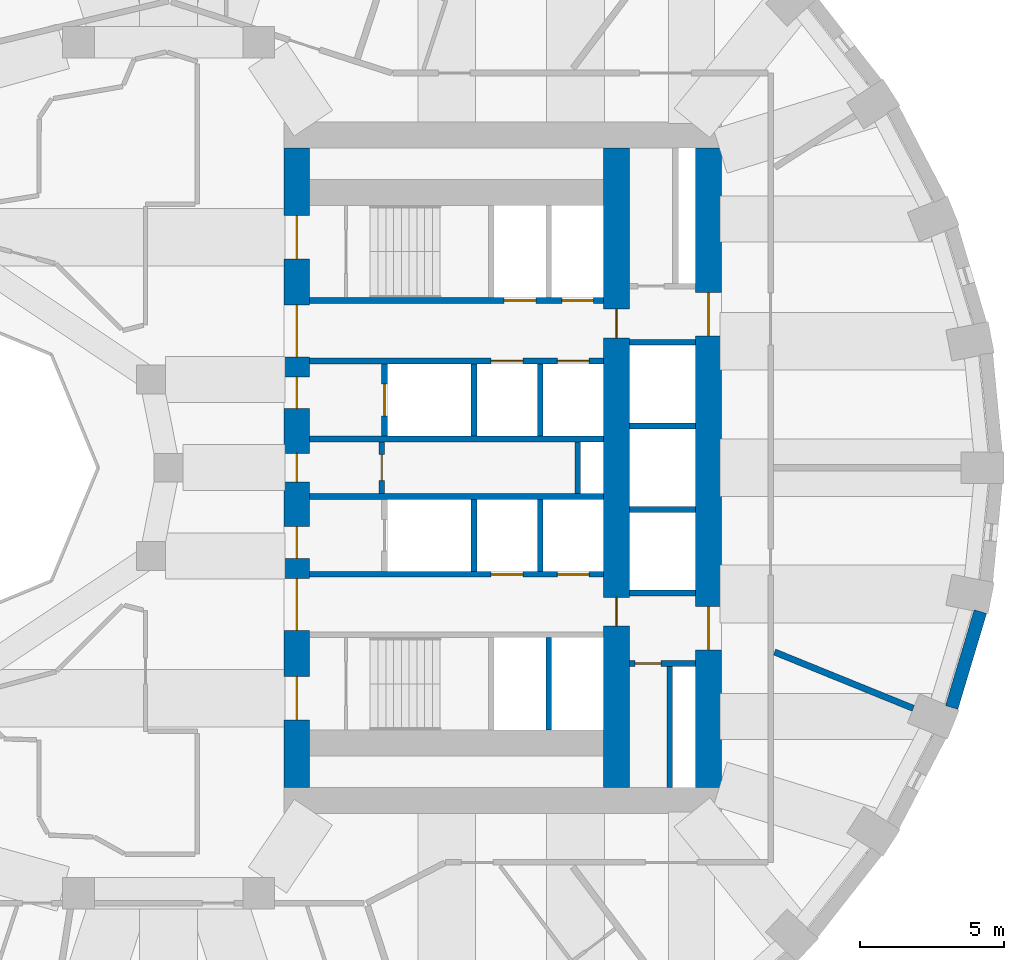
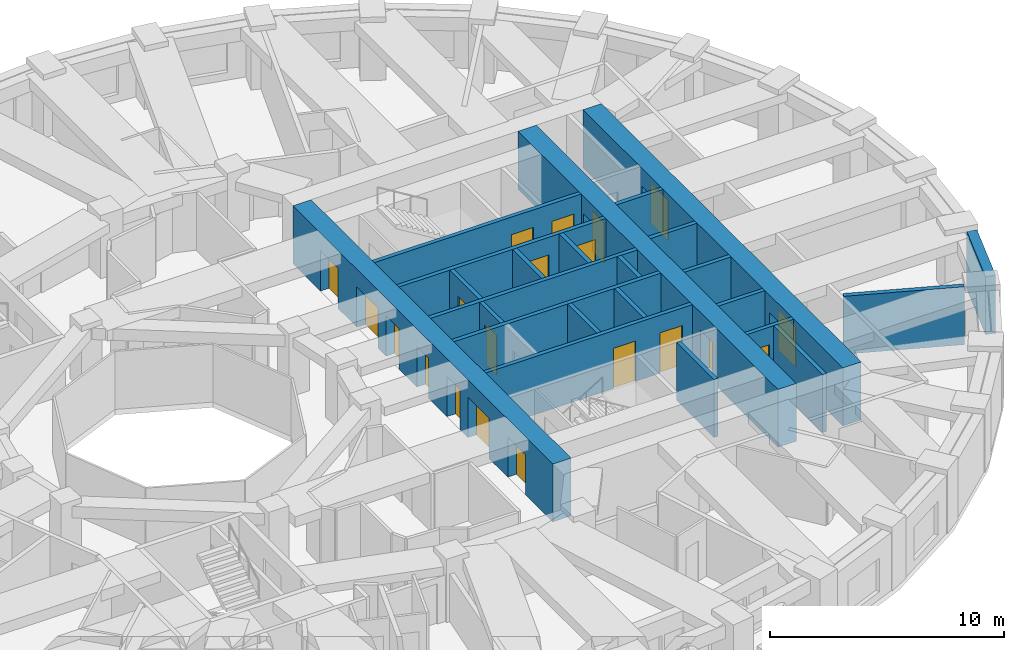
# One storey, part 6 of 13: 24 walls, 20 doors, 20 openings.
"""IFC4 building model written with IfcOpenShell, lengths in metres."""

from ifc_helpers import new_model, si_unit, direction, frame, frame_2d, origin, place, context, subcontext, project, spatial, rectangle, extrude, material, layer, layer_set, type_object, element, fill, save


model = new_model("IFC4")

# Units and contexts
model_context = context("Model", 3, precision=1e-05, world=origin(), true_north=direction((0.0, 1.0)))
body_context = subcontext(model_context, "Body", "Model", "MODEL_VIEW")
ifc_project = project(units=[si_unit("LENGTHUNIT", "METRE"), si_unit("AREAUNIT", "SQUARE_METRE"), si_unit("VOLUMEUNIT", "CUBIC_METRE"), si_unit("PLANEANGLEUNIT", "RADIAN"), si_unit("MASSUNIT", "GRAM", prefix="KILO")], contexts=[model_context])

# Site, building, storey
site_placement = place(None, origin())
site = spatial("IfcSite", under=ifc_project, at=site_placement, CompositionType="ELEMENT")
building_placement = place(site_placement, origin())
building = spatial("IfcBuilding", under=site, at=building_placement, Name="Taillehof Tower", CompositionType="ELEMENT")
storey_placement = place(building_placement, frame((0.0, 0.0, 74.5)))
storey = spatial("IfcBuildingStorey", under=building, at=storey_placement, Name="L20", CompositionType="ELEMENT", Elevation=74.5)

# Wall
ifc_material_1 = material(Name="Brick masonry", Category="masonry")
ifc_layer_1 = layer(ifc_material_1, 0.449951171875)
ifc_layer_set_1 = layer_set([ifc_layer_1], Name="Brick infill wall 450")
wall_type_1 = type_object("IfcWallType", Name="Brick infill wall 450", PredefinedType="SOLIDWALL", material=ifc_layer_set_1)
wall_1_placement = place(storey_placement, frame((27.184814453125, -8.322998046875, 0.0), z_axis=(0.0, 0.0, 1.0), x_axis=(0.287064133733, 0.957911364963, 0.0)))
element("IfcWall", 1, at=wall_1_placement, inside=storey, type_object=wall_type_1, Name="Brick wall L20 bay 35", PredefinedType="SOLIDWALL", context=body_context, shape_type="SweptSolid", body=[
    extrude(rectangle(XDim=3.473388671875, YDim=0.449951171875, at=frame_2d((1.73681640625, 0.0))), origin(), (0.0, 0.0, 1.0), 3.02001953125),
])

# Wall, opening, door
ifc_material_2 = material(Name="Calcium silicate masonry", Category="masonry")
ifc_layer_2 = layer(ifc_material_2, 0.199951171875)
ifc_layer_set_2 = layer_set([ifc_layer_2], Name="Compartment wall calcium silicate 200")
wall_type_2 = type_object("IfcWallType", Name="Compartment wall calcium silicate 200", PredefinedType="PARTITIONING", material=ifc_layer_set_2)
wall_2_placement = place(storey_placement, frame((7.39990234375, -0.89990234375, 0.0), z_axis=(0.0, 0.0, 1.0), x_axis=(0.0, 1.0, 0.0)))
wall_2 = element("IfcWall", 2, at=wall_2_placement, inside=storey, type_object=wall_type_2, Name="Compartment wall FW", PredefinedType="PARTITIONING", context=body_context, shape_type="SweptSolid", body=[
    extrude(rectangle(XDim=1.7998046875, YDim=0.199951171875, at=frame_2d((0.89990234375, 0.0))), origin(), (0.0, 0.0, 1.0), 3.02001953125),
])
opening_1_placement = place(wall_2_placement, frame((0.449951171875, 0.0, 0.0)))
opening_1 = element("IfcOpeningElement", 3, at=opening_1_placement, cuts=wall_2, Name="Opening D2014", PredefinedType="OPENING", context=body_context, shape_type="SweptSolid", body=[
    extrude(rectangle(XDim=0.89990234375, YDim=2.10009765625, at=frame_2d((0.449951171875, 1.050048828125))), frame((0.0, 0.10986328125, 0.0), z_axis=(0.0, -1.0, 0.0), x_axis=(1.0, 0.0, 0.0)), (0.0, 0.0, 1.0), 0.219970703125),
])
ifc_material_3 = material(Name="Steel-faced fire door", Category="steel")
door_type_1 = type_object("IfcDoorType", Name="Riser and service room door 900x2100", OperationType="SINGLE_SWING_LEFT", PredefinedType="DOOR", material=ifc_material_3)
door_1_placement = place(opening_1_placement, origin())
door_1 = element("IfcDoor", 4, at=door_1_placement, inside=storey, type_object=door_type_1, Name="Door Comms Room", OperationType="SINGLE_SWING_RIGHT", OverallHeight=2.10009765625, OverallWidth=0.89990234375, PredefinedType="DOOR", context=body_context, shape_type="SweptSolid", body=[
    extrude(rectangle(XDim=0.89990234375, YDim=2.10009765625, at=frame_2d((0.449951171875, 1.050048828125))), frame((0.0, 0.02490234375, 0.0), z_axis=(0.0, -1.0, 0.0), x_axis=(1.0, 0.0, 0.0)), (0.0, 0.0, 1.0), 0.050048828125),
])
fill(opening_1, door_1)

# Wall
wall_3_placement = place(storey_placement, frame((14.199951171875, -0.89990234375, 0.0), z_axis=(0.0, 0.0, 1.0), x_axis=(0.0, 1.0, 0.0)))
element("IfcWall", 5, at=wall_3_placement, inside=storey, type_object=wall_type_2, Name="Compartment wall FW", PredefinedType="PARTITIONING", context=body_context, shape_type="SweptSolid", body=[
    extrude(rectangle(XDim=1.7998046875, YDim=0.199951171875, at=frame_2d((0.89990234375, 0.0))), origin(), (0.0, 0.0, 1.0), 3.02001953125),
])

# Wall, opening, door
wall_4_placement = place(storey_placement, frame((16.0, -6.800048828125, 0.0), z_axis=(0.0, 0.0, 1.0), x_axis=(1.0, 0.0, 0.0)))
wall_4 = element("IfcWall", 6, at=wall_4_placement, inside=storey, type_object=wall_type_2, Name="Compartment wall FW", PredefinedType="PARTITIONING", context=body_context, shape_type="SweptSolid", body=[
    extrude(rectangle(XDim=2.300048828125, YDim=0.199951171875, at=frame_2d((1.14990234375, 0.0))), origin(), (0.0, 0.0, 1.0), 3.02001953125),
])
opening_2_placement = place(wall_4_placement, frame((0.199951171875, 0.0, 0.0)))
opening_2 = element("IfcOpeningElement", 7, at=opening_2_placement, cuts=wall_4, Name="Opening D2018", PredefinedType="OPENING", context=body_context, shape_type="SweptSolid", body=[
    extrude(rectangle(XDim=0.89990234375, YDim=2.10009765625, at=frame_2d((0.449951171875, 1.050048828125))), frame((0.0, 0.10986328125, 0.0), z_axis=(0.0, -1.0, 0.0), x_axis=(1.0, 0.0, 0.0)), (0.0, 0.0, 1.0), 0.219970703125),
])
door_2_placement = place(opening_2_placement, origin())
door_2 = element("IfcDoor", 8, at=door_2_placement, inside=storey, type_object=door_type_1, Name="Door Ice Room", OperationType="SINGLE_SWING_LEFT", OverallHeight=2.10009765625, OverallWidth=0.89990234375, PredefinedType="DOOR", context=body_context, shape_type="SweptSolid", body=[
    extrude(rectangle(XDim=0.89990234375, YDim=2.10009765625, at=frame_2d((0.449951171875, 1.050048828125))), frame((0.0, 0.02490234375, 0.0), z_axis=(0.0, -1.0, 0.0), x_axis=(1.0, 0.0, 0.0)), (0.0, 0.0, 1.0), 0.050048828125),
])
fill(opening_2, door_2)

# Walls
wall_5_placement = place(storey_placement, frame((17.39990234375, -11.10009765625, 0.0), z_axis=(0.0, 0.0, 1.0), x_axis=(0.0, 1.0, 0.0)))
element("IfcWall", 9, at=wall_5_placement, inside=storey, type_object=wall_type_2, Name="Compartment wall FW", PredefinedType="PARTITIONING", context=body_context, shape_type="SweptSolid", body=[
    extrude(rectangle(XDim=4.2001953125, YDim=0.199951171875, at=frame_2d((2.10009765625, 0.0))), origin(), (0.0, 0.0, 1.0), 3.02001953125),
])
ifc_material_4 = material(Name="Gypsum board on double steel studs with mineral wool", Category="steel")
ifc_layer_3 = layer(ifc_material_4, 0.219970703125)
ifc_layer_set_3 = layer_set([ifc_layer_3], Name="Compartment wall guest room 220")
wall_type_3 = type_object("IfcWallType", Name="Compartment wall guest room 220", PredefinedType="PARTITIONING", material=ifc_layer_set_3)
wall_6_placement = place(storey_placement, frame((25.851318359375, -8.35400390625, 0.0), z_axis=(0.0, 0.0, 1.0), x_axis=(-0.926545919269, 0.376181684145, 0.0)))
element("IfcWall", 10, at=wall_6_placement, inside=storey, type_object=wall_type_3, Name="Compartment wall", PredefinedType="PARTITIONING", context=body_context, shape_type="SweptSolid", body=[
    extrude(rectangle(XDim=5.19580078125, YDim=0.219970703125, at=frame_2d((2.597900390625, 0.0))), origin(), (0.0, 0.0, 1.0), 3.02001953125),
])

# Wall, openings, doors
ifc_material_5 = material(Name="Concrete C80/95", Category="concrete")
ifc_layer_4 = layer(ifc_material_5, 0.89990234375)
ifc_layer_set_4 = layer_set([ifc_layer_4], Name="Core wall C80/95 900")
wall_type_4 = type_object("IfcWallType", Name="Core wall C80/95 900", PredefinedType="SHEAR", material=ifc_layer_set_4)
wall_7_placement = place(storey_placement, frame((4.449951171875, -11.10009765625, 0.0), z_axis=(0.0, 0.0, 1.0), x_axis=(0.0, 1.0, 0.0)))
wall_7 = element("IfcWall", 11, at=wall_7_placement, inside=storey, type_object=wall_type_4, Name="Core wall CW01", PredefinedType="SHEAR", context=body_context, shape_type="SweptSolid", body=[
    extrude(rectangle(XDim=22.2001953125, YDim=0.89990234375, at=frame_2d((11.10009765625, 0.0))), origin(), (0.0, 0.0, 1.0), 3.02001953125),
])
opening_3_placement = place(wall_7_placement, frame((2.35009765625, 0.0, 0.0)))
opening_3 = element("IfcOpeningElement", 12, at=opening_3_placement, cuts=wall_7, Name="Opening D2001", PredefinedType="OPENING", context=body_context, shape_type="SweptSolid", body=[
    extrude(rectangle(XDim=1.5, YDim=2.10009765625, at=frame_2d((0.75, 1.050048828125))), frame((0.0, 0.4599609375, 0.0), z_axis=(0.0, -1.0, 0.0), x_axis=(1.0, 0.0, 0.0)), (0.0, 0.0, 1.0), 0.919921875),
])
opening_4_placement = place(wall_7_placement, frame((5.449951171875, 0.0, 0.0)))
opening_4 = element("IfcOpeningElement", 13, at=opening_4_placement, cuts=wall_7, Name="Opening D2002", PredefinedType="OPENING", context=body_context, shape_type="SweptSolid", body=[
    extrude(rectangle(XDim=1.800048828125, YDim=2.10009765625, at=frame_2d((0.89990234375, 1.050048828125))), frame((0.0, 0.4599609375, 0.0), z_axis=(0.0, -1.0, 0.0), x_axis=(1.0, 0.0, 0.0)), (0.0, 0.0, 1.0), 0.919921875),
])
opening_5_placement = place(wall_7_placement, frame((7.949951171875, 0.0, 0.0)))
opening_5 = element("IfcOpeningElement", 14, at=opening_5_placement, cuts=wall_7, Name="Opening D2003", PredefinedType="OPENING", context=body_context, shape_type="SweptSolid", body=[
    extrude(rectangle(XDim=1.10009765625, YDim=2.10009765625, at=frame_2d((0.550048828125, 1.050048828125))), frame((0.0, 0.4599609375, 0.0), z_axis=(0.0, -1.0, 0.0), x_axis=(1.0, 0.0, 0.0)), (0.0, 0.0, 1.0), 0.919921875),
])
opening_6_placement = place(wall_7_placement, frame((10.60009765625, 0.0, 0.0)))
opening_6 = element("IfcOpeningElement", 15, at=opening_6_placement, cuts=wall_7, Name="Opening D2004", PredefinedType="OPENING", context=body_context, shape_type="SweptSolid", body=[
    extrude(rectangle(XDim=1.0, YDim=2.10009765625, at=frame_2d((0.5, 1.050048828125))), frame((0.0, 0.4599609375, 0.0), z_axis=(0.0, -1.0, 0.0), x_axis=(1.0, 0.0, 0.0)), (0.0, 0.0, 1.0), 0.919921875),
])
opening_7_placement = place(wall_7_placement, frame((13.14990234375, 0.0, 0.0)))
opening_7 = element("IfcOpeningElement", 16, at=opening_7_placement, cuts=wall_7, Name="Opening D2005", PredefinedType="OPENING", context=body_context, shape_type="SweptSolid", body=[
    extrude(rectangle(XDim=1.10009765625, YDim=2.10009765625, at=frame_2d((0.550048828125, 1.050048828125))), frame((0.0, 0.4599609375, 0.0), z_axis=(0.0, -1.0, 0.0), x_axis=(1.0, 0.0, 0.0)), (0.0, 0.0, 1.0), 0.919921875),
])
opening_8_placement = place(wall_7_placement, frame((14.949951171875, 0.0, 0.0)))
opening_8 = element("IfcOpeningElement", 17, at=opening_8_placement, cuts=wall_7, Name="Opening D2006", PredefinedType="OPENING", context=body_context, shape_type="SweptSolid", body=[
    extrude(rectangle(XDim=1.800048828125, YDim=2.10009765625, at=frame_2d((0.89990234375, 1.050048828125))), frame((0.0, 0.4599609375, 0.0), z_axis=(0.0, -1.0, 0.0), x_axis=(1.0, 0.0, 0.0)), (0.0, 0.0, 1.0), 0.919921875),
])
opening_9_placement = place(wall_7_placement, frame((18.35009765625, 0.0, 0.0)))
opening_9 = element("IfcOpeningElement", 18, at=opening_9_placement, cuts=wall_7, Name="Opening D2007", PredefinedType="OPENING", context=body_context, shape_type="SweptSolid", body=[
    extrude(rectangle(XDim=1.5, YDim=2.10009765625, at=frame_2d((0.75, 1.050048828125))), frame((0.0, 0.4599609375, 0.0), z_axis=(0.0, -1.0, 0.0), x_axis=(1.0, 0.0, 0.0)), (0.0, 0.0, 1.0), 0.919921875),
])
ifc_material_6 = material(Name="Steel-faced fire door", Category="steel")
door_type_2 = type_object("IfcDoorType", Name="Firefighting lobby door 1100x2100", OperationType="SINGLE_SWING_RIGHT", PredefinedType="DOOR", material=ifc_material_6)
door_3_placement = place(opening_5_placement, origin())
door_3 = element("IfcDoor", 19, at=door_3_placement, inside=storey, type_object=door_type_2, Name="Firefighting lobby door FFL-S", OperationType="SINGLE_SWING_RIGHT", OverallHeight=2.10009765625, OverallWidth=1.10009765625, PredefinedType="DOOR", context=body_context, shape_type="SweptSolid", body=[
    extrude(rectangle(XDim=1.10009765625, YDim=2.10009765625, at=frame_2d((0.550048828125, 1.050048828125))), frame((0.0, 0.02490234375, 0.0), z_axis=(0.0, -1.0, 0.0), x_axis=(1.0, 0.0, 0.0)), (0.0, 0.0, 1.0), 0.050048828125),
])
fill(opening_5, door_3)
door_4_placement = place(opening_7_placement, origin())
door_4 = element("IfcDoor", 20, at=door_4_placement, inside=storey, type_object=door_type_2, Name="Firefighting lobby door FFL-N", OperationType="SINGLE_SWING_LEFT", OverallHeight=2.10009765625, OverallWidth=1.10009765625, PredefinedType="DOOR", context=body_context, shape_type="SweptSolid", body=[
    extrude(rectangle(XDim=1.10009765625, YDim=2.10009765625, at=frame_2d((0.550048828125, 1.050048828125))), frame((0.0, 0.02490234375, 0.0), z_axis=(0.0, -1.0, 0.0), x_axis=(1.0, 0.0, 0.0)), (0.0, 0.0, 1.0), 0.050048828125),
])
fill(opening_7, door_4)
ifc_material_7 = material(Name="Steel-faced fire door", Category="steel")
door_type_3 = type_object("IfcDoorType", Name="Lift lobby door 1800x2100", OperationType="DOUBLE_DOOR_SINGLE_SWING", PredefinedType="DOOR", material=ifc_material_7)
door_5_placement = place(opening_4_placement, origin())
door_5 = element("IfcDoor", 21, at=door_5_placement, inside=storey, type_object=door_type_3, Name="Lift lobby door LL-S", OperationType="DOUBLE_DOOR_SINGLE_SWING", OverallHeight=2.10009765625, OverallWidth=1.800048828125, PredefinedType="DOOR", context=body_context, shape_type="SweptSolid", body=[
    extrude(rectangle(XDim=1.800048828125, YDim=2.10009765625, at=frame_2d((0.89990234375, 1.050048828125))), frame((0.0, 0.02490234375, 0.0), z_axis=(0.0, -1.0, 0.0), x_axis=(1.0, 0.0, 0.0)), (0.0, 0.0, 1.0), 0.050048828125),
])
fill(opening_4, door_5)
door_6_placement = place(opening_8_placement, origin())
door_6 = element("IfcDoor", 22, at=door_6_placement, inside=storey, type_object=door_type_3, Name="Lift lobby door LL-N", OperationType="DOUBLE_DOOR_SINGLE_SWING", OverallHeight=2.10009765625, OverallWidth=1.800048828125, PredefinedType="DOOR", context=body_context, shape_type="SweptSolid", body=[
    extrude(rectangle(XDim=1.800048828125, YDim=2.10009765625, at=frame_2d((0.89990234375, 1.050048828125))), frame((0.0, 0.02490234375, 0.0), z_axis=(0.0, -1.0, 0.0), x_axis=(1.0, 0.0, 0.0)), (0.0, 0.0, 1.0), 0.050048828125),
])
fill(opening_8, door_6)
ifc_material_8 = material(Name="Steel-faced fire door", Category="steel")
door_type_4 = type_object("IfcDoorType", Name="Service door 1000x2100", OperationType="SINGLE_SWING_RIGHT", PredefinedType="DOOR", material=ifc_material_8)
door_7_placement = place(opening_6_placement, origin())
door_7 = element("IfcDoor", 23, at=door_7_placement, inside=storey, type_object=door_type_4, Name="Service door SV", OperationType="SINGLE_SWING_RIGHT", OverallHeight=2.10009765625, OverallWidth=1.0, PredefinedType="DOOR", context=body_context, shape_type="SweptSolid", body=[
    extrude(rectangle(XDim=1.0, YDim=2.10009765625, at=frame_2d((0.5, 1.050048828125))), frame((0.0, 0.02490234375, 0.0), z_axis=(0.0, -1.0, 0.0), x_axis=(1.0, 0.0, 0.0)), (0.0, 0.0, 1.0), 0.050048828125),
])
fill(opening_6, door_7)
ifc_material_9 = material(Name="Steel-faced fire door", Category="steel")
door_type_5 = type_object("IfcDoorType", Name="Stair door 1500x2100", OperationType="DOUBLE_DOOR_SINGLE_SWING", PredefinedType="DOOR", material=ifc_material_9)
door_8_placement = place(opening_3_placement, origin())
door_8 = element("IfcDoor", 24, at=door_8_placement, inside=storey, type_object=door_type_5, Name="Stair door S2", OperationType="DOUBLE_DOOR_SINGLE_SWING", OverallHeight=2.10009765625, OverallWidth=1.5, PredefinedType="DOOR", context=body_context, shape_type="SweptSolid", body=[
    extrude(rectangle(XDim=1.5, YDim=2.10009765625, at=frame_2d((0.75, 1.050048828125))), frame((0.0, 0.02490234375, 0.0), z_axis=(0.0, -1.0, 0.0), x_axis=(1.0, 0.0, 0.0)), (0.0, 0.0, 1.0), 0.050048828125),
])
fill(opening_3, door_8)
door_9_placement = place(opening_9_placement, origin())
door_9 = element("IfcDoor", 25, at=door_9_placement, inside=storey, type_object=door_type_5, Name="Stair door S1", OperationType="DOUBLE_DOOR_SINGLE_SWING", OverallHeight=2.10009765625, OverallWidth=1.5, PredefinedType="DOOR", context=body_context, shape_type="SweptSolid", body=[
    extrude(rectangle(XDim=1.5, YDim=2.10009765625, at=frame_2d((0.75, 1.050048828125))), frame((0.0, 0.02490234375, 0.0), z_axis=(0.0, -1.0, 0.0), x_axis=(1.0, 0.0, 0.0)), (0.0, 0.0, 1.0), 0.050048828125),
])
fill(opening_9, door_9)

wall_8_placement = place(storey_placement, frame((18.75, -11.10009765625, 0.0), z_axis=(0.0, 0.0, 1.0), x_axis=(0.0, 1.0, 0.0)))
wall_8 = element("IfcWall", 26, at=wall_8_placement, inside=storey, type_object=wall_type_4, Name="Core wall CW02", PredefinedType="SHEAR", context=body_context, shape_type="SweptSolid", body=[
    extrude(rectangle(XDim=22.2001953125, YDim=0.89990234375, at=frame_2d((11.10009765625, 0.0))), origin(), (0.0, 0.0, 1.0), 3.02001953125),
])
opening_10_placement = place(wall_8_placement, frame((15.675048828125, 0.0, 0.0)))
opening_10 = element("IfcOpeningElement", 27, at=opening_10_placement, cuts=wall_8, Name="Opening D2008", PredefinedType="OPENING", context=body_context, shape_type="SweptSolid", body=[
    extrude(rectangle(XDim=1.5, YDim=2.10009765625, at=frame_2d((0.75, 1.050048828125))), frame((0.0, 0.4599609375, 0.0), z_axis=(0.0, -1.0, 0.0), x_axis=(1.0, 0.0, 0.0)), (0.0, 0.0, 1.0), 0.919921875),
])
opening_11_placement = place(wall_8_placement, frame((4.77490234375, 0.0, 0.0)))
opening_11 = element("IfcOpeningElement", 28, at=opening_11_placement, cuts=wall_8, Name="Opening D2009", PredefinedType="OPENING", context=body_context, shape_type="SweptSolid", body=[
    extrude(rectangle(XDim=1.5, YDim=2.10009765625, at=frame_2d((0.75, 1.050048828125))), frame((0.0, 0.4599609375, 0.0), z_axis=(0.0, -1.0, 0.0), x_axis=(1.0, 0.0, 0.0)), (0.0, 0.0, 1.0), 0.919921875),
])
ifc_material_10 = material(Name="Steel-faced fire door", Category="steel")
door_type_6 = type_object("IfcDoorType", Name="Lift lobby east door 1500x2100", OperationType="DOUBLE_DOOR_SINGLE_SWING", PredefinedType="DOOR", material=ifc_material_10)
door_10_placement = place(opening_10_placement, origin())
door_10 = element("IfcDoor", 29, at=door_10_placement, inside=storey, type_object=door_type_6, Name="Lift lobby east door north", OperationType="DOUBLE_DOOR_SINGLE_SWING", OverallHeight=2.10009765625, OverallWidth=1.5, PredefinedType="DOOR", context=body_context, shape_type="SweptSolid", body=[
    extrude(rectangle(XDim=1.5, YDim=2.10009765625, at=frame_2d((0.75, 1.050048828125))), frame((0.0, 0.02490234375, 0.0), z_axis=(0.0, -1.0, 0.0), x_axis=(1.0, 0.0, 0.0)), (0.0, 0.0, 1.0), 0.050048828125),
])
fill(opening_10, door_10)
door_11_placement = place(opening_11_placement, origin())
door_11 = element("IfcDoor", 30, at=door_11_placement, inside=storey, type_object=door_type_6, Name="Lift lobby east door south", OperationType="DOUBLE_DOOR_SINGLE_SWING", OverallHeight=2.10009765625, OverallWidth=1.5, PredefinedType="DOOR", context=body_context, shape_type="SweptSolid", body=[
    extrude(rectangle(XDim=1.5, YDim=2.10009765625, at=frame_2d((0.75, 1.050048828125))), frame((0.0, 0.02490234375, 0.0), z_axis=(0.0, -1.0, 0.0), x_axis=(1.0, 0.0, 0.0)), (0.0, 0.0, 1.0), 0.050048828125),
])
fill(opening_11, door_11)

wall_9_placement = place(storey_placement, frame((15.550048828125, -11.10009765625, 0.0), z_axis=(0.0, 0.0, 1.0), x_axis=(0.0, 1.0, 0.0)))
wall_9 = element("IfcWall", 31, at=wall_9_placement, inside=storey, type_object=wall_type_4, Name="Core wall CW05", PredefinedType="SHEAR", context=body_context, shape_type="SweptSolid", body=[
    extrude(rectangle(XDim=22.2001953125, YDim=0.89990234375, at=frame_2d((11.10009765625, 0.0))), origin(), (0.0, 0.0, 1.0), 3.02001953125),
])
opening_12_placement = place(wall_9_placement, frame((15.60009765625, 0.0, 0.0)))
opening_12 = element("IfcOpeningElement", 32, at=opening_12_placement, cuts=wall_9, Name="Opening D2015", PredefinedType="OPENING", context=body_context, shape_type="SweptSolid", body=[
    extrude(rectangle(XDim=1.0, YDim=2.10009765625, at=frame_2d((0.5, 1.050048828125))), frame((0.0, 0.4599609375, 0.0), z_axis=(0.0, -1.0, 0.0), x_axis=(1.0, 0.0, 0.0)), (0.0, 0.0, 1.0), 0.919921875),
])
opening_13_placement = place(wall_9_placement, frame((5.60009765625, 0.0, 0.0)))
opening_13 = element("IfcOpeningElement", 33, at=opening_13_placement, cuts=wall_9, Name="Opening D2017", PredefinedType="OPENING", context=body_context, shape_type="SweptSolid", body=[
    extrude(rectangle(XDim=1.0, YDim=2.10009765625, at=frame_2d((0.5, 1.050048828125))), frame((0.0, 0.4599609375, 0.0), z_axis=(0.0, -1.0, 0.0), x_axis=(1.0, 0.0, 0.0)), (0.0, 0.0, 1.0), 0.919921875),
])
door_12_placement = place(opening_12_placement, origin())
door_12 = element("IfcDoor", 34, at=door_12_placement, inside=storey, type_object=door_type_4, Name="Service door strip", OperationType="SINGLE_SWING_RIGHT", OverallHeight=2.10009765625, OverallWidth=1.0, PredefinedType="DOOR", context=body_context, shape_type="SweptSolid", body=[
    extrude(rectangle(XDim=1.0, YDim=2.10009765625, at=frame_2d((0.5, 1.050048828125))), frame((0.0, 0.02490234375, 0.0), z_axis=(0.0, -1.0, 0.0), x_axis=(1.0, 0.0, 0.0)), (0.0, 0.0, 1.0), 0.050048828125),
])
fill(opening_12, door_12)
door_13_placement = place(opening_13_placement, origin())
door_13 = element("IfcDoor", 35, at=door_13_placement, inside=storey, type_object=door_type_4, Name="Service door strip", OperationType="SINGLE_SWING_LEFT", OverallHeight=2.10009765625, OverallWidth=1.0, PredefinedType="DOOR", context=body_context, shape_type="SweptSolid", body=[
    extrude(rectangle(XDim=1.0, YDim=2.10009765625, at=frame_2d((0.5, 1.050048828125))), frame((0.0, 0.02490234375, 0.0), z_axis=(0.0, -1.0, 0.0), x_axis=(1.0, 0.0, 0.0)), (0.0, 0.0, 1.0), 0.050048828125),
])
fill(opening_13, door_13)

ifc_material_11 = material(Name="Concrete C50/60", Category="concrete")
ifc_layer_5 = layer(ifc_material_11, 0.199951171875)
ifc_layer_set_5 = layer_set([ifc_layer_5], Name="Shaft wall C50/60 200")
wall_type_5 = type_object("IfcWallType", Name="Shaft wall C50/60 200", PredefinedType="SHEAR", material=ifc_layer_set_5)
wall_10_placement = place(storey_placement, frame((4.89990234375, 5.800048828125, 0.0), z_axis=(0.0, 0.0, 1.0), x_axis=(1.0, 0.0, 0.0)))
wall_10 = element("IfcWall", 36, at=wall_10_placement, inside=storey, type_object=wall_type_5, Name="Shaft wall SW", PredefinedType="SHEAR", context=body_context, shape_type="SweptSolid", body=[
    extrude(rectangle(XDim=10.2001953125, YDim=0.199951171875, at=frame_2d((5.10009765625, 0.0))), origin(), (0.0, 0.0, 1.0), 3.02001953125),
])
opening_14_placement = place(wall_10_placement, frame((6.75, 0.0, 0.0)))
opening_14 = element("IfcOpeningElement", 37, at=opening_14_placement, cuts=wall_10, Name="Opening LD1", PredefinedType="OPENING", context=body_context, shape_type="SweptSolid", body=[
    extrude(rectangle(XDim=1.10009765625, YDim=2.10009765625, at=frame_2d((0.550048828125, 1.050048828125))), frame((0.0, 0.10986328125, 0.0), z_axis=(0.0, -1.0, 0.0), x_axis=(1.0, 0.0, 0.0)), (0.0, 0.0, 1.0), 0.219970703125),
])
opening_15_placement = place(wall_10_placement, frame((8.75, 0.0, 0.0)))
opening_15 = element("IfcOpeningElement", 38, at=opening_15_placement, cuts=wall_10, Name="Opening LD1", PredefinedType="OPENING", context=body_context, shape_type="SweptSolid", body=[
    extrude(rectangle(XDim=1.10009765625, YDim=2.10009765625, at=frame_2d((0.550048828125, 1.050048828125))), frame((0.0, 0.10986328125, 0.0), z_axis=(0.0, -1.0, 0.0), x_axis=(1.0, 0.0, 0.0)), (0.0, 0.0, 1.0), 0.219970703125),
])
ifc_material_12 = material(Name="Stainless steel", Category="steel")
door_type_7 = type_object("IfcDoorType", Name="Lift landing door LD1 1100x2100", OperationType="DOUBLE_DOOR_SLIDING", PredefinedType="DOOR", material=ifc_material_12)
door_14_placement = place(opening_14_placement, origin())
door_14 = element("IfcDoor", 39, at=door_14_placement, inside=storey, type_object=door_type_7, Name="Landing door LR1", OperationType="DOUBLE_DOOR_SLIDING", OverallHeight=2.10009765625, OverallWidth=1.10009765625, PredefinedType="DOOR", context=body_context, shape_type="SweptSolid", body=[
    extrude(rectangle(XDim=1.10009765625, YDim=2.10009765625, at=frame_2d((0.550048828125, 1.050048828125))), frame((0.0, 0.02490234375, 0.0), z_axis=(0.0, -1.0, 0.0), x_axis=(1.0, 0.0, 0.0)), (0.0, 0.0, 1.0), 0.050048828125),
])
fill(opening_14, door_14)
door_15_placement = place(opening_15_placement, origin())
door_15 = element("IfcDoor", 40, at=door_15_placement, inside=storey, type_object=door_type_7, Name="Landing door LR2", OperationType="DOUBLE_DOOR_SLIDING", OverallHeight=2.10009765625, OverallWidth=1.10009765625, PredefinedType="DOOR", context=body_context, shape_type="SweptSolid", body=[
    extrude(rectangle(XDim=1.10009765625, YDim=2.10009765625, at=frame_2d((0.550048828125, 1.050048828125))), frame((0.0, 0.02490234375, 0.0), z_axis=(0.0, -1.0, 0.0), x_axis=(1.0, 0.0, 0.0)), (0.0, 0.0, 1.0), 0.050048828125),
])
fill(opening_15, door_15)

wall_11_placement = place(storey_placement, frame((4.89990234375, 3.699951171875, 0.0), z_axis=(0.0, 0.0, 1.0), x_axis=(1.0, 0.0, 0.0)))
wall_11 = element("IfcWall", 41, at=wall_11_placement, inside=storey, type_object=wall_type_5, Name="Shaft wall SW", PredefinedType="SHEAR", context=body_context, shape_type="SweptSolid", body=[
    extrude(rectangle(XDim=10.2001953125, YDim=0.199951171875, at=frame_2d((5.10009765625, 0.0))), origin(), (0.0, 0.0, 1.0), 3.02001953125),
])
opening_16_placement = place(wall_11_placement, frame((6.300048828125, 0.0, 0.0)))
opening_16 = element("IfcOpeningElement", 42, at=opening_16_placement, cuts=wall_11, Name="Opening LD1", PredefinedType="OPENING", context=body_context, shape_type="SweptSolid", body=[
    extrude(rectangle(XDim=1.10009765625, YDim=2.10009765625, at=frame_2d((0.550048828125, 1.050048828125))), frame((0.0, 0.10986328125, 0.0), z_axis=(0.0, -1.0, 0.0), x_axis=(1.0, 0.0, 0.0)), (0.0, 0.0, 1.0), 0.219970703125),
])
opening_17_placement = place(wall_11_placement, frame((8.60009765625, 0.0, 0.0)))
opening_17 = element("IfcOpeningElement", 43, at=opening_17_placement, cuts=wall_11, Name="Opening LD1", PredefinedType="OPENING", context=body_context, shape_type="SweptSolid", body=[
    extrude(rectangle(XDim=1.10009765625, YDim=2.10009765625, at=frame_2d((0.550048828125, 1.050048828125))), frame((0.0, 0.10986328125, 0.0), z_axis=(0.0, -1.0, 0.0), x_axis=(1.0, 0.0, 0.0)), (0.0, 0.0, 1.0), 0.219970703125),
])
door_16_placement = place(opening_16_placement, origin())
door_16 = element("IfcDoor", 44, at=door_16_placement, inside=storey, type_object=door_type_7, Name="Landing door LR3", OperationType="DOUBLE_DOOR_SLIDING", OverallHeight=2.10009765625, OverallWidth=1.10009765625, PredefinedType="DOOR", context=body_context, shape_type="SweptSolid", body=[
    extrude(rectangle(XDim=1.10009765625, YDim=2.10009765625, at=frame_2d((0.550048828125, 1.050048828125))), frame((0.0, 0.02490234375, 0.0), z_axis=(0.0, -1.0, 0.0), x_axis=(1.0, 0.0, 0.0)), (0.0, 0.0, 1.0), 0.050048828125),
])
fill(opening_16, door_16)
door_17_placement = place(opening_17_placement, origin())
door_17 = element("IfcDoor", 45, at=door_17_placement, inside=storey, type_object=door_type_7, Name="Landing door LR4", OperationType="DOUBLE_DOOR_SLIDING", OverallHeight=2.10009765625, OverallWidth=1.10009765625, PredefinedType="DOOR", context=body_context, shape_type="SweptSolid", body=[
    extrude(rectangle(XDim=1.10009765625, YDim=2.10009765625, at=frame_2d((0.550048828125, 1.050048828125))), frame((0.0, 0.02490234375, 0.0), z_axis=(0.0, -1.0, 0.0), x_axis=(1.0, 0.0, 0.0)), (0.0, 0.0, 1.0), 0.050048828125),
])
fill(opening_17, door_17)

# Walls
for number, where, z_axis, x_axis, name in (
    (46, (4.89990234375, 1.0, 0.0), (0.0, 0.0, 1.0), (1.0, 0.0, 0.0), "Shaft wall SW"),
    (47, (4.89990234375, -1.0, 0.0), (0.0, 0.0, 1.0), (1.0, 0.0, 0.0), "Shaft wall SW"),
):
    element("IfcWall", number, at=place(storey_placement, frame(where, z_axis=z_axis, x_axis=x_axis)), inside=storey, type_object=wall_type_5, Name=name, PredefinedType="SHEAR", context=body_context, shape_type="SweptSolid", body=[
        extrude(rectangle(XDim=10.2001953125, YDim=0.199951171875, at=frame_2d((5.10009765625, 0.0))), origin(), (0.0, 0.0, 1.0), 3.02001953125),
    ])

# Wall, openings, doors
wall_12_placement = place(storey_placement, frame((4.89990234375, -3.699951171875, 0.0), z_axis=(0.0, 0.0, 1.0), x_axis=(1.0, 0.0, 0.0)))
wall_12 = element("IfcWall", 48, at=wall_12_placement, inside=storey, type_object=wall_type_5, Name="Shaft wall SW", PredefinedType="SHEAR", context=body_context, shape_type="SweptSolid", body=[
    extrude(rectangle(XDim=10.2001953125, YDim=0.199951171875, at=frame_2d((5.10009765625, 0.0))), origin(), (0.0, 0.0, 1.0), 3.02001953125),
])
opening_18_placement = place(wall_12_placement, frame((6.300048828125, 0.0, 0.0)))
opening_18 = element("IfcOpeningElement", 49, at=opening_18_placement, cuts=wall_12, Name="Opening LD1", PredefinedType="OPENING", context=body_context, shape_type="SweptSolid", body=[
    extrude(rectangle(XDim=1.10009765625, YDim=2.10009765625, at=frame_2d((0.550048828125, 1.050048828125))), frame((0.0, 0.10986328125, 0.0), z_axis=(0.0, -1.0, 0.0), x_axis=(1.0, 0.0, 0.0)), (0.0, 0.0, 1.0), 0.219970703125),
])
opening_19_placement = place(wall_12_placement, frame((8.60009765625, 0.0, 0.0)))
opening_19 = element("IfcOpeningElement", 50, at=opening_19_placement, cuts=wall_12, Name="Opening LD1", PredefinedType="OPENING", context=body_context, shape_type="SweptSolid", body=[
    extrude(rectangle(XDim=1.10009765625, YDim=2.10009765625, at=frame_2d((0.550048828125, 1.050048828125))), frame((0.0, 0.10986328125, 0.0), z_axis=(0.0, -1.0, 0.0), x_axis=(1.0, 0.0, 0.0)), (0.0, 0.0, 1.0), 0.219970703125),
])
door_18_placement = place(opening_18_placement, origin())
door_18 = element("IfcDoor", 51, at=door_18_placement, inside=storey, type_object=door_type_7, Name="Landing door LR5", OperationType="DOUBLE_DOOR_SLIDING", OverallHeight=2.10009765625, OverallWidth=1.10009765625, PredefinedType="DOOR", context=body_context, shape_type="SweptSolid", body=[
    extrude(rectangle(XDim=1.10009765625, YDim=2.10009765625, at=frame_2d((0.550048828125, 1.050048828125))), frame((0.0, 0.02490234375, 0.0), z_axis=(0.0, -1.0, 0.0), x_axis=(1.0, 0.0, 0.0)), (0.0, 0.0, 1.0), 0.050048828125),
])
fill(opening_18, door_18)
door_19_placement = place(opening_19_placement, origin())
door_19 = element("IfcDoor", 52, at=door_19_placement, inside=storey, type_object=door_type_7, Name="Landing door LR6", OperationType="DOUBLE_DOOR_SLIDING", OverallHeight=2.10009765625, OverallWidth=1.10009765625, PredefinedType="DOOR", context=body_context, shape_type="SweptSolid", body=[
    extrude(rectangle(XDim=1.10009765625, YDim=2.10009765625, at=frame_2d((0.550048828125, 1.050048828125))), frame((0.0, 0.02490234375, 0.0), z_axis=(0.0, -1.0, 0.0), x_axis=(1.0, 0.0, 0.0)), (0.0, 0.0, 1.0), 0.050048828125),
])
fill(opening_19, door_19)

# Wall
wall_13_placement = place(storey_placement, frame((13.199951171875, -9.10009765625, 0.0), z_axis=(0.0, 0.0, 1.0), x_axis=(0.0, 1.0, 0.0)))
element("IfcWall", 53, at=wall_13_placement, inside=storey, type_object=wall_type_5, Name="Shaft wall SW", PredefinedType="SHEAR", context=body_context, shape_type="SweptSolid", body=[
    extrude(rectangle(XDim=3.2001953125, YDim=0.199951171875, at=frame_2d((1.60009765625, 0.0))), origin(), (0.0, 0.0, 1.0), 3.02001953125),
])

# Wall, opening, door
wall_14_placement = place(storey_placement, frame((7.5, 1.10009765625, 0.0), z_axis=(0.0, 0.0, 1.0), x_axis=(0.0, 1.0, 0.0)))
wall_14 = element("IfcWall", 54, at=wall_14_placement, inside=storey, type_object=wall_type_5, Name="Shaft wall SW", PredefinedType="SHEAR", context=body_context, shape_type="SweptSolid", body=[
    extrude(rectangle(XDim=2.5, YDim=0.199951171875, at=frame_2d((1.25, 0.0))), origin(), (0.0, 0.0, 1.0), 3.02001953125),
])
opening_20_placement = place(wall_14_placement, frame((0.699951171875, 0.0, 0.0)))
opening_20 = element("IfcOpeningElement", 55, at=opening_20_placement, cuts=wall_14, Name="Opening LD1", PredefinedType="OPENING", context=body_context, shape_type="SweptSolid", body=[
    extrude(rectangle(XDim=1.10009765625, YDim=2.10009765625, at=frame_2d((0.550048828125, 1.050048828125))), frame((0.0, 0.10986328125, 0.0), z_axis=(0.0, -1.0, 0.0), x_axis=(1.0, 0.0, 0.0)), (0.0, 0.0, 1.0), 0.219970703125),
])
door_20_placement = place(opening_20_placement, origin())
door_20 = element("IfcDoor", 56, at=door_20_placement, inside=storey, type_object=door_type_7, Name="Landing door FF1", OperationType="DOUBLE_DOOR_SLIDING", OverallHeight=2.10009765625, OverallWidth=1.10009765625, PredefinedType="DOOR", context=body_context, shape_type="SweptSolid", body=[
    extrude(rectangle(XDim=1.10009765625, YDim=2.10009765625, at=frame_2d((0.550048828125, 1.050048828125))), frame((0.0, 0.02490234375, 0.0), z_axis=(0.0, -1.0, 0.0), x_axis=(1.0, 0.0, 0.0)), (0.0, 0.0, 1.0), 0.050048828125),
])
fill(opening_20, door_20)

# Walls
for number, where, z_axis, x_axis, name in (
    (57, (10.60009765625, 1.10009765625, 0.0), (0.0, 0.0, 1.0), (0.0, 1.0, 0.0), "Shaft wall SW"),
    (58, (10.60009765625, -3.60009765625, 0.0), (0.0, 0.0, 1.0), (0.0, 1.0, 0.0), "Shaft wall SW"),
    (59, (12.89990234375, 1.10009765625, 0.0), (0.0, 0.0, 1.0), (0.0, 1.0, 0.0), "Shaft wall SW"),
    (60, (12.89990234375, -3.60009765625, 0.0), (0.0, 0.0, 1.0), (0.0, 1.0, 0.0), "Shaft wall SW"),
):
    element("IfcWall", number, at=place(storey_placement, frame(where, z_axis=z_axis, x_axis=x_axis)), inside=storey, type_object=wall_type_5, Name=name, PredefinedType="SHEAR", context=body_context, shape_type="SweptSolid", body=[
        extrude(rectangle(XDim=2.5, YDim=0.199951171875, at=frame_2d((1.25, 0.0))), origin(), (0.0, 0.0, 1.0), 3.02001953125),
    ])
for number, where, z_axis, x_axis, name in (
    (61, (16.0, -4.35009765625, 0.0), (0.0, 0.0, 1.0), (1.0, 0.0, 0.0), "Shaft wall SW"),
    (62, (16.0, -1.449951171875, 0.0), (0.0, 0.0, 1.0), (1.0, 0.0, 0.0), "Shaft wall SW"),
    (63, (16.0, 1.449951171875, 0.0), (0.0, 0.0, 1.0), (1.0, 0.0, 0.0), "Shaft wall SW"),
    (64, (16.0, 4.35009765625, 0.0), (0.0, 0.0, 1.0), (1.0, 0.0, 0.0), "Shaft wall SW"),
):
    element("IfcWall", number, at=place(storey_placement, frame(where, z_axis=z_axis, x_axis=x_axis)), inside=storey, type_object=wall_type_5, Name=name, PredefinedType="SHEAR", context=body_context, shape_type="SweptSolid", body=[
        extrude(rectangle(XDim=2.300048828125, YDim=0.199951171875, at=frame_2d((1.14990234375, 0.0))), origin(), (0.0, 0.0, 1.0), 3.02001953125),
    ])

save(model, "model.ifc")
